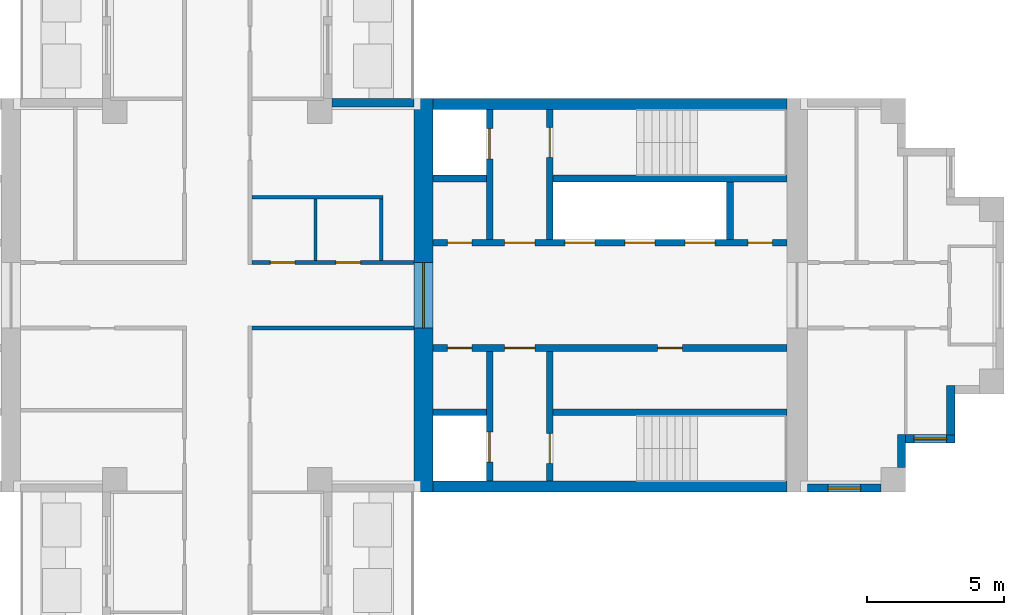
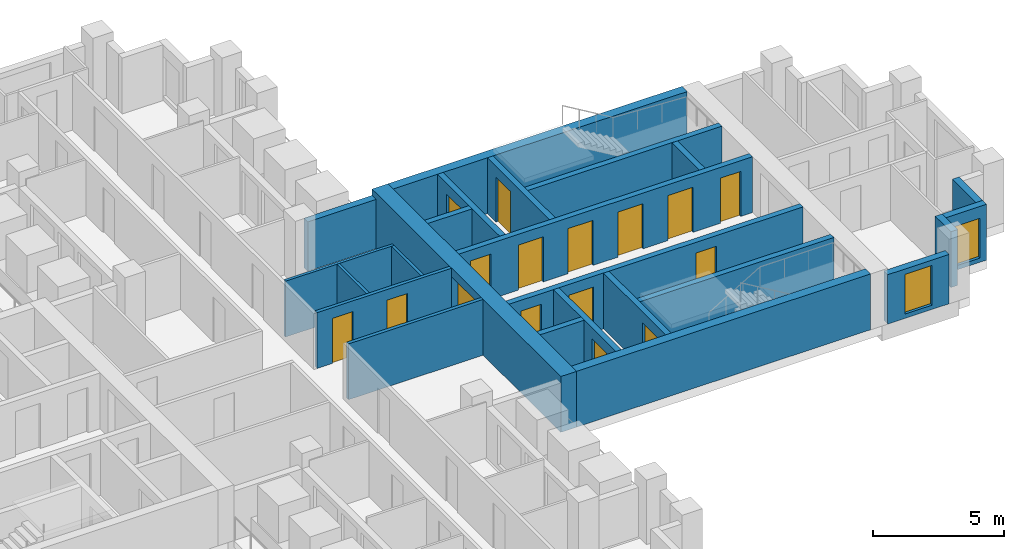
# One storey, part 5 of 9: 24 walls, 16 doors, 2 windows, 18 openings.
"""IFC4 building model written with IfcOpenShell, lengths in metres."""

from ifc_helpers import new_model, si_unit, direction, frame, frame_2d, origin, place, context, subcontext, project, spatial, rectangle, extrude, material, layer, layer_set, type_object, element, fill, save


model = new_model("IFC4")

# Units and contexts
model_context = context("Model", 3, precision=1e-05, world=origin(), true_north=direction((0.0, 1.0)))
body_context = subcontext(model_context, "Body", "Model", "MODEL_VIEW")
ifc_project = project(units=[si_unit("LENGTHUNIT", "METRE"), si_unit("AREAUNIT", "SQUARE_METRE"), si_unit("VOLUMEUNIT", "CUBIC_METRE"), si_unit("PLANEANGLEUNIT", "RADIAN"), si_unit("MASSUNIT", "GRAM", prefix="KILO")], contexts=[model_context])

# Site, building, storey
site_placement = place(None, origin())
site = spatial("IfcSite", under=ifc_project, at=site_placement, CompositionType="ELEMENT")
building_placement = place(site_placement, origin())
building = spatial("IfcBuilding", under=site, at=building_placement, Name="Fustian Cross Tower", CompositionType="ELEMENT")
storey_placement = place(building_placement, frame((0.0, 0.0, 219.89990234375)))
storey = spatial("IfcBuildingStorey", under=building, at=storey_placement, Name="L69", CompositionType="ELEMENT", Elevation=219.89990234375)

# Wall
ifc_material_1 = material(Name="Plasterboard on steel stud", Category="steel")
ifc_layer_1 = layer(ifc_material_1, 0.14990234375)
ifc_layer_set_1 = layer_set([ifc_layer_1], Name="Plasterboard on steel stud")
wall_type_1 = type_object("IfcWallType", Name="COMPARTMENT WALL 150 EI 60", PredefinedType="PARTITIONING", material=ifc_layer_set_1)
wall_1_placement = place(storey_placement, frame((1.27490234375, -1.199951171875, 0.0), z_axis=(0.0, 0.0, 1.0), x_axis=(1.0, 0.0, 0.0)))
element("IfcWall", 1, at=wall_1_placement, inside=storey, type_object=wall_type_1, Name="Partition 38", PredefinedType="PARTITIONING", context=body_context, shape_type="SweptSolid", body=[
    extrude(rectangle(XDim=5.925048828125, YDim=0.14990234375, at=frame_2d((2.96240234375, 0.0))), origin(), (0.0, 0.0, 1.0), 2.60009765625),
])

# Wall, openings, doors
wall_2_placement = place(storey_placement, frame((1.27490234375, 1.199951171875, 0.0), z_axis=(0.0, 0.0, 1.0), x_axis=(1.0, 0.0, 0.0)))
wall_2 = element("IfcWall", 2, at=wall_2_placement, inside=storey, type_object=wall_type_1, Name="Partition 40", PredefinedType="PARTITIONING", context=body_context, shape_type="SweptSolid", body=[
    extrude(rectangle(XDim=5.925048828125, YDim=0.14990234375, at=frame_2d((2.96240234375, 0.0))), origin(), (0.0, 0.0, 1.0), 2.60009765625),
])
opening_1_placement = place(wall_2_placement, frame((0.675048828125, 0.0, 0.0)))
opening_1 = element("IfcOpeningElement", 3, at=opening_1_placement, cuts=wall_2, Name="Opening D31001", PredefinedType="OPENING", context=body_context, shape_type="SweptSolid", body=[
    extrude(rectangle(XDim=0.89990234375, YDim=2.10009765625, at=frame_2d((0.449951171875, 1.050048828125))), frame((0.0, 0.0849609375, 0.0), z_axis=(0.0, -1.0, 0.0), x_axis=(1.0, 0.0, 0.0)), (0.0, 0.0, 1.0), 0.169921875),
])
opening_2_placement = place(wall_2_placement, frame((3.074951171875, 0.0, 0.0)))
opening_2 = element("IfcOpeningElement", 4, at=opening_2_placement, cuts=wall_2, Name="Opening D31002", PredefinedType="OPENING", context=body_context, shape_type="SweptSolid", body=[
    extrude(rectangle(XDim=0.89990234375, YDim=2.10009765625, at=frame_2d((0.449951171875, 1.050048828125))), frame((0.0, 0.0849609375, 0.0), z_axis=(0.0, -1.0, 0.0), x_axis=(1.0, 0.0, 0.0)), (0.0, 0.0, 1.0), 0.169921875),
])
ifc_material_2 = material(Name="Timber fire door set", Category="wood")
door_type_1 = type_object("IfcDoorType", Name="FIRE SWING DOOR 900 FD30S", OperationType="SINGLE_SWING_LEFT", PredefinedType="DOOR", material=ifc_material_2)
door_1_placement = place(opening_1_placement, origin())
door_1 = element("IfcDoor", 5, at=door_1_placement, inside=storey, type_object=door_type_1, Name="Door D31001", OperationType="SINGLE_SWING_LEFT", OverallHeight=2.10009765625, OverallWidth=0.89990234375, PredefinedType="DOOR", context=body_context, shape_type="SweptSolid", body=[
    extrude(rectangle(XDim=0.89990234375, YDim=2.10009765625, at=frame_2d((0.449951171875, 1.050048828125))), frame((0.0, 0.02490234375, 0.0), z_axis=(0.0, -1.0, 0.0), x_axis=(1.0, 0.0, 0.0)), (0.0, 0.0, 1.0), 0.050048828125),
])
fill(opening_1, door_1)
door_2_placement = place(opening_2_placement, origin())
door_2 = element("IfcDoor", 6, at=door_2_placement, inside=storey, type_object=door_type_1, Name="Door D31002", OperationType="SINGLE_SWING_LEFT", OverallHeight=2.10009765625, OverallWidth=0.89990234375, PredefinedType="DOOR", context=body_context, shape_type="SweptSolid", body=[
    extrude(rectangle(XDim=0.89990234375, YDim=2.10009765625, at=frame_2d((0.449951171875, 1.050048828125))), frame((0.0, 0.02490234375, 0.0), z_axis=(0.0, -1.0, 0.0), x_axis=(1.0, 0.0, 0.0)), (0.0, 0.0, 1.0), 0.050048828125),
])
fill(opening_2, door_2)

# Wall, opening, door
ifc_material_3 = material(Name="Concrete C50/60", Category="concrete")
ifc_layer_2 = layer(ifc_material_3, 0.699951171875)
ifc_layer_set_2 = layer_set([ifc_layer_2], Name="Concrete C50/60")
wall_type_2 = type_object("IfcWallType", Name="CORE END WALL 700 C50/60", PredefinedType="SHEAR", material=ifc_layer_set_2)
wall_3_placement = place(storey_placement, frame((7.550048828125, -7.199951171875, 0.0), z_axis=(0.0, 0.0, 1.0), x_axis=(0.0, 1.0, 0.0)))
wall_3 = element("IfcWall", 7, at=wall_3_placement, inside=storey, type_object=wall_type_2, Name="Core end wall", PredefinedType="SHEAR", context=body_context, shape_type="SweptSolid", body=[
    extrude(rectangle(XDim=14.39990234375, YDim=0.699951171875, at=frame_2d((7.199951171875, 0.0))), origin(), (0.0, 0.0, 1.0), 2.60009765625),
])
opening_3_placement = place(wall_3_placement, frame((6.0, 0.0, 0.0)))
opening_3 = element("IfcOpeningElement", 8, at=opening_3_placement, cuts=wall_3, Name="Opening CD-29-12", PredefinedType="OPENING", context=body_context, shape_type="SweptSolid", body=[
    extrude(rectangle(XDim=2.39990234375, YDim=2.199951171875, at=frame_2d((1.199951171875, 1.10009765625))), frame((0.0, 0.35986328125, 0.0), z_axis=(0.0, -1.0, 0.0), x_axis=(1.0, 0.0, 0.0)), (0.0, 0.0, 1.0), 0.719970703125),
])
ifc_material_4 = material(Name="Steel", Category="steel")
door_type_2 = type_object("IfcDoorType", Name="FIRE DOOR FD30S DOUBLE 2400X2200", OperationType="DOUBLE_DOOR_DOUBLE_SWING", PredefinedType="DOOR", material=ifc_material_4)
door_3_placement = place(opening_3_placement, frame((2.39990234375, 0.0, 0.0), z_axis=(0.0, 0.0, 1.0), x_axis=(-1.0, 0.0, 0.0)))
door_3 = element("IfcDoor", 9, at=door_3_placement, inside=storey, type_object=door_type_2, Name="Core door CD-29-12", OperationType="DOUBLE_DOOR_DOUBLE_SWING", OverallHeight=2.199951171875, OverallWidth=2.39990234375, PredefinedType="DOOR", context=body_context, shape_type="SweptSolid", body=[
    extrude(rectangle(XDim=2.39990234375, YDim=2.199951171875, at=frame_2d((1.199951171875, 1.10009765625))), frame((0.0, 0.02490234375, 0.0), z_axis=(0.0, -1.0, 0.0), x_axis=(1.0, 0.0, 0.0)), (0.0, 0.0, 1.0), 0.050048828125),
])
fill(opening_3, door_3)

# Walls
ifc_material_5 = material(Name="Concrete C50/60", Category="concrete")
ifc_layer_3 = layer(ifc_material_5, 0.39990234375)
ifc_layer_set_3 = layer_set([ifc_layer_3], Name="Concrete C50/60")
wall_type_3 = type_object("IfcWallType", Name="CORE FACADE WALL 400 C50/60", PredefinedType="SHEAR", material=ifc_layer_set_3)
for number, where, z_axis, x_axis, name in (
    (10, (7.89990234375, 7.0, 0.0), (0.0, 0.0, 1.0), (1.0, 0.0, 0.0), "Core facade wall"),
    (11, (7.89990234375, -7.0, 0.0), (0.0, 0.0, 1.0), (1.0, 0.0, 0.0), "Core facade wall"),
):
    element("IfcWall", number, at=place(storey_placement, frame(where, z_axis=z_axis, x_axis=x_axis)), inside=storey, type_object=wall_type_3, Name=name, PredefinedType="SHEAR", context=body_context, shape_type="SweptSolid", body=[
        extrude(rectangle(XDim=12.9501953125, YDim=0.39990234375, at=frame_2d((6.47509765625, 0.0))), origin(), (0.0, 0.0, 1.0), 2.60009765625),
    ])

# Wall, openings, doors
ifc_material_6 = material(Name="Concrete C50/60", Category="concrete")
ifc_layer_4 = layer(ifc_material_6, 0.25)
ifc_layer_set_4 = layer_set([ifc_layer_4], Name="Concrete C50/60")
wall_type_4 = type_object("IfcWallType", Name="CORE LOBBY WALL 250 C50/60", PredefinedType="SHEAR", material=ifc_layer_set_4)
wall_4_placement = place(storey_placement, frame((7.89990234375, 1.925048828125, 0.0), z_axis=(0.0, 0.0, 1.0), x_axis=(1.0, 0.0, 0.0)))
wall_4 = element("IfcWall", 12, at=wall_4_placement, inside=storey, type_object=wall_type_4, Name="Core lobby wall", PredefinedType="SHEAR", context=body_context, shape_type="SweptSolid", body=[
    extrude(rectangle(XDim=12.9501953125, YDim=0.25, at=frame_2d((6.47509765625, 0.0))), origin(), (0.0, 0.0, 1.0), 2.60009765625),
])
opening_4_placement = place(wall_4_placement, frame((4.824951171875, 0.0, 0.0)))
opening_4 = element("IfcOpeningElement", 13, at=opening_4_placement, cuts=wall_4, Name="Opening LD", PredefinedType="OPENING", context=body_context, shape_type="SweptSolid", body=[
    extrude(rectangle(XDim=1.10009765625, YDim=2.10009765625, at=frame_2d((0.550048828125, 1.050048828125))), frame((0.0, 0.135009765625, 0.0), z_axis=(0.0, -1.0, 0.0), x_axis=(1.0, 0.0, 0.0)), (0.0, 0.0, 1.0), 0.27001953125),
])
opening_5_placement = place(wall_4_placement, frame((7.02490234375, 0.0, 0.0)))
opening_5 = element("IfcOpeningElement", 14, at=opening_5_placement, cuts=wall_4, Name="Opening LD", PredefinedType="OPENING", context=body_context, shape_type="SweptSolid", body=[
    extrude(rectangle(XDim=1.10009765625, YDim=2.10009765625, at=frame_2d((0.550048828125, 1.050048828125))), frame((0.0, 0.135009765625, 0.0), z_axis=(0.0, -1.0, 0.0), x_axis=(1.0, 0.0, 0.0)), (0.0, 0.0, 1.0), 0.27001953125),
])
opening_6_placement = place(wall_4_placement, frame((9.22509765625, 0.0, 0.0)))
opening_6 = element("IfcOpeningElement", 15, at=opening_6_placement, cuts=wall_4, Name="Opening LD", PredefinedType="OPENING", context=body_context, shape_type="SweptSolid", body=[
    extrude(rectangle(XDim=1.10009765625, YDim=2.10009765625, at=frame_2d((0.550048828125, 1.050048828125))), frame((0.0, 0.135009765625, 0.0), z_axis=(0.0, -1.0, 0.0), x_axis=(1.0, 0.0, 0.0)), (0.0, 0.0, 1.0), 0.27001953125),
])
opening_7_placement = place(wall_4_placement, frame((0.52490234375, 0.0, 0.0)))
opening_7 = element("IfcOpeningElement", 16, at=opening_7_placement, cuts=wall_4, Name="Opening CD-29-08", PredefinedType="OPENING", context=body_context, shape_type="SweptSolid", body=[
    extrude(rectangle(XDim=0.89990234375, YDim=2.10009765625, at=frame_2d((0.449951171875, 1.050048828125))), frame((0.0, 0.135009765625, 0.0), z_axis=(0.0, -1.0, 0.0), x_axis=(1.0, 0.0, 0.0)), (0.0, 0.0, 1.0), 0.27001953125),
])
opening_8_placement = place(wall_4_placement, frame((2.625, 0.0, 0.0)))
opening_8 = element("IfcOpeningElement", 17, at=opening_8_placement, cuts=wall_4, Name="Opening CD-29-10", PredefinedType="OPENING", context=body_context, shape_type="SweptSolid", body=[
    extrude(rectangle(XDim=1.10009765625, YDim=2.10009765625, at=frame_2d((0.550048828125, 1.050048828125))), frame((0.0, 0.135009765625, 0.0), z_axis=(0.0, -1.0, 0.0), x_axis=(1.0, 0.0, 0.0)), (0.0, 0.0, 1.0), 0.27001953125),
])
opening_9_placement = place(wall_4_placement, frame((11.52490234375, 0.0, 0.0)))
opening_9 = element("IfcOpeningElement", 18, at=opening_9_placement, cuts=wall_4, Name="Opening CD-29-14", PredefinedType="OPENING", context=body_context, shape_type="SweptSolid", body=[
    extrude(rectangle(XDim=0.89990234375, YDim=2.10009765625, at=frame_2d((0.449951171875, 1.050048828125))), frame((0.0, 0.135009765625, 0.0), z_axis=(0.0, -1.0, 0.0), x_axis=(1.0, 0.0, 0.0)), (0.0, 0.0, 1.0), 0.27001953125),
])
ifc_material_7 = material(Name="Steel", Category="steel")
door_type_3 = type_object("IfcDoorType", Name="FIRE DOOR FD30S 900X2100", OperationType="SINGLE_SWING_LEFT", PredefinedType="DOOR", material=ifc_material_7)
door_4_placement = place(opening_9_placement, origin())
door_4 = element("IfcDoor", 19, at=door_4_placement, inside=storey, type_object=door_type_3, Name="Core door CD-29-14", OperationType="SINGLE_SWING_LEFT", OverallHeight=2.10009765625, OverallWidth=0.89990234375, PredefinedType="DOOR", context=body_context, shape_type="SweptSolid", body=[
    extrude(rectangle(XDim=0.89990234375, YDim=2.10009765625, at=frame_2d((0.449951171875, 1.050048828125))), frame((0.0, 0.02490234375, 0.0), z_axis=(0.0, -1.0, 0.0), x_axis=(1.0, 0.0, 0.0)), (0.0, 0.0, 1.0), 0.050048828125),
])
fill(opening_9, door_4)
ifc_material_8 = material(Name="Steel", Category="steel")
door_type_4 = type_object("IfcDoorType", Name="FIRE DOOR FD60S 1100X2100", OperationType="SINGLE_SWING_LEFT", PredefinedType="DOOR", material=ifc_material_8)
door_5_placement = place(opening_8_placement, frame((1.10009765625, 0.0, 0.0), z_axis=(0.0, 0.0, 1.0), x_axis=(-1.0, 0.0, 0.0)))
door_5 = element("IfcDoor", 20, at=door_5_placement, inside=storey, type_object=door_type_4, Name="Core door CD-29-10", OperationType="SINGLE_SWING_RIGHT", OverallHeight=2.10009765625, OverallWidth=1.10009765625, PredefinedType="DOOR", context=body_context, shape_type="SweptSolid", body=[
    extrude(rectangle(XDim=1.10009765625, YDim=2.10009765625, at=frame_2d((0.550048828125, 1.050048828125))), frame((0.0, 0.02490234375, 0.0), z_axis=(0.0, -1.0, 0.0), x_axis=(1.0, 0.0, 0.0)), (0.0, 0.0, 1.0), 0.050048828125),
])
fill(opening_8, door_5)
ifc_material_9 = material(Name="Steel", Category="steel")
door_type_5 = type_object("IfcDoorType", Name="FIRE DOOR FD60S 900X2100", OperationType="SINGLE_SWING_LEFT", PredefinedType="DOOR", material=ifc_material_9)
door_6_placement = place(opening_7_placement, origin())
door_6 = element("IfcDoor", 21, at=door_6_placement, inside=storey, type_object=door_type_5, Name="Core door CD-29-08", OperationType="SINGLE_SWING_LEFT", OverallHeight=2.10009765625, OverallWidth=0.89990234375, PredefinedType="DOOR", context=body_context, shape_type="SweptSolid", body=[
    extrude(rectangle(XDim=0.89990234375, YDim=2.10009765625, at=frame_2d((0.449951171875, 1.050048828125))), frame((0.0, 0.02490234375, 0.0), z_axis=(0.0, -1.0, 0.0), x_axis=(1.0, 0.0, 0.0)), (0.0, 0.0, 1.0), 0.050048828125),
])
fill(opening_7, door_6)
ifc_material_10 = material(Name="Stainless steel", Category="steel")
door_type_6 = type_object("IfcDoorType", Name="LIFT LANDING DOOR 1100X2100", OperationType="SLIDING_TO_LEFT", PredefinedType="DOOR", material=ifc_material_10)
door_7_placement = place(opening_4_placement, origin())
door_7 = element("IfcDoor", 22, at=door_7_placement, inside=storey, type_object=door_type_6, Name="Landing door HR1", OperationType="SLIDING_TO_LEFT", OverallHeight=2.10009765625, OverallWidth=1.10009765625, PredefinedType="DOOR", context=body_context, shape_type="SweptSolid", body=[
    extrude(rectangle(XDim=1.10009765625, YDim=2.10009765625, at=frame_2d((0.550048828125, 1.050048828125))), frame((0.0, 0.02490234375, 0.0), z_axis=(0.0, -1.0, 0.0), x_axis=(1.0, 0.0, 0.0)), (0.0, 0.0, 1.0), 0.050048828125),
])
fill(opening_4, door_7)
door_8_placement = place(opening_5_placement, origin())
door_8 = element("IfcDoor", 23, at=door_8_placement, inside=storey, type_object=door_type_6, Name="Landing door HR2", OperationType="SLIDING_TO_LEFT", OverallHeight=2.10009765625, OverallWidth=1.10009765625, PredefinedType="DOOR", context=body_context, shape_type="SweptSolid", body=[
    extrude(rectangle(XDim=1.10009765625, YDim=2.10009765625, at=frame_2d((0.550048828125, 1.050048828125))), frame((0.0, 0.02490234375, 0.0), z_axis=(0.0, -1.0, 0.0), x_axis=(1.0, 0.0, 0.0)), (0.0, 0.0, 1.0), 0.050048828125),
])
fill(opening_5, door_8)
door_9_placement = place(opening_6_placement, origin())
door_9 = element("IfcDoor", 24, at=door_9_placement, inside=storey, type_object=door_type_6, Name="Landing door HR3", OperationType="SLIDING_TO_LEFT", OverallHeight=2.10009765625, OverallWidth=1.10009765625, PredefinedType="DOOR", context=body_context, shape_type="SweptSolid", body=[
    extrude(rectangle(XDim=1.10009765625, YDim=2.10009765625, at=frame_2d((0.550048828125, 1.050048828125))), frame((0.0, 0.02490234375, 0.0), z_axis=(0.0, -1.0, 0.0), x_axis=(1.0, 0.0, 0.0)), (0.0, 0.0, 1.0), 0.050048828125),
])
fill(opening_6, door_9)

wall_5_placement = place(storey_placement, frame((7.89990234375, -1.925048828125, 0.0), z_axis=(0.0, 0.0, 1.0), x_axis=(1.0, 0.0, 0.0)))
wall_5 = element("IfcWall", 25, at=wall_5_placement, inside=storey, type_object=wall_type_4, Name="Core lobby wall", PredefinedType="SHEAR", context=body_context, shape_type="SweptSolid", body=[
    extrude(rectangle(XDim=12.9501953125, YDim=0.25, at=frame_2d((6.47509765625, 0.0))), origin(), (0.0, 0.0, 1.0), 2.60009765625),
])
opening_10_placement = place(wall_5_placement, frame((0.52490234375, 0.0, 0.0)))
opening_10 = element("IfcOpeningElement", 26, at=opening_10_placement, cuts=wall_5, Name="Opening CD-29-09", PredefinedType="OPENING", context=body_context, shape_type="SweptSolid", body=[
    extrude(rectangle(XDim=0.89990234375, YDim=2.10009765625, at=frame_2d((0.449951171875, 1.050048828125))), frame((0.0, 0.135009765625, 0.0), z_axis=(0.0, -1.0, 0.0), x_axis=(1.0, 0.0, 0.0)), (0.0, 0.0, 1.0), 0.27001953125),
])
opening_11_placement = place(wall_5_placement, frame((2.625, 0.0, 0.0)))
opening_11 = element("IfcOpeningElement", 27, at=opening_11_placement, cuts=wall_5, Name="Opening CD-29-11", PredefinedType="OPENING", context=body_context, shape_type="SweptSolid", body=[
    extrude(rectangle(XDim=1.10009765625, YDim=2.10009765625, at=frame_2d((0.550048828125, 1.050048828125))), frame((0.0, 0.135009765625, 0.0), z_axis=(0.0, -1.0, 0.0), x_axis=(1.0, 0.0, 0.0)), (0.0, 0.0, 1.0), 0.27001953125),
])
opening_12_placement = place(wall_5_placement, frame((8.22509765625, 0.0, 0.0)))
opening_12 = element("IfcOpeningElement", 28, at=opening_12_placement, cuts=wall_5, Name="Opening CD-29-15", PredefinedType="OPENING", context=body_context, shape_type="SweptSolid", body=[
    extrude(rectangle(XDim=0.89990234375, YDim=2.10009765625, at=frame_2d((0.449951171875, 1.050048828125))), frame((0.0, 0.135009765625, 0.0), z_axis=(0.0, -1.0, 0.0), x_axis=(1.0, 0.0, 0.0)), (0.0, 0.0, 1.0), 0.27001953125),
])
ifc_material_11 = material(Name="Steel", Category="steel")
door_type_7 = type_object("IfcDoorType", Name="FIRE DOOR FD30S 1100X2100", OperationType="SINGLE_SWING_LEFT", PredefinedType="DOOR", material=ifc_material_11)
door_10_placement = place(opening_11_placement, frame((1.10009765625, 0.0, 0.0), z_axis=(0.0, 0.0, 1.0), x_axis=(-1.0, 0.0, 0.0)))
door_10 = element("IfcDoor", 29, at=door_10_placement, inside=storey, type_object=door_type_7, Name="Core door CD-29-11", OperationType="SINGLE_SWING_RIGHT", OverallHeight=2.10009765625, OverallWidth=1.10009765625, PredefinedType="DOOR", context=body_context, shape_type="SweptSolid", body=[
    extrude(rectangle(XDim=1.10009765625, YDim=2.10009765625, at=frame_2d((0.550048828125, 1.050048828125))), frame((0.0, 0.02490234375, 0.0), z_axis=(0.0, -1.0, 0.0), x_axis=(1.0, 0.0, 0.0)), (0.0, 0.0, 1.0), 0.050048828125),
])
fill(opening_11, door_10)
door_11_placement = place(opening_10_placement, frame((0.89990234375, 0.0, 0.0), z_axis=(0.0, 0.0, 1.0), x_axis=(-1.0, 0.0, 0.0)))
door_11 = element("IfcDoor", 30, at=door_11_placement, inside=storey, type_object=door_type_3, Name="Core door CD-29-09", OperationType="SINGLE_SWING_RIGHT", OverallHeight=2.10009765625, OverallWidth=0.89990234375, PredefinedType="DOOR", context=body_context, shape_type="SweptSolid", body=[
    extrude(rectangle(XDim=0.89990234375, YDim=2.10009765625, at=frame_2d((0.449951171875, 1.050048828125))), frame((0.0, 0.02490234375, 0.0), z_axis=(0.0, -1.0, 0.0), x_axis=(1.0, 0.0, 0.0)), (0.0, 0.0, 1.0), 0.050048828125),
])
fill(opening_10, door_11)
door_12_placement = place(opening_12_placement, frame((0.89990234375, 0.0, 0.0), z_axis=(0.0, 0.0, 1.0), x_axis=(-1.0, 0.0, 0.0)))
door_12 = element("IfcDoor", 31, at=door_12_placement, inside=storey, type_object=door_type_3, Name="Core door CD-29-15", OperationType="SINGLE_SWING_LEFT", OverallHeight=2.10009765625, OverallWidth=0.89990234375, PredefinedType="DOOR", context=body_context, shape_type="SweptSolid", body=[
    extrude(rectangle(XDim=0.89990234375, YDim=2.10009765625, at=frame_2d((0.449951171875, 1.050048828125))), frame((0.0, 0.02490234375, 0.0), z_axis=(0.0, -1.0, 0.0), x_axis=(1.0, 0.0, 0.0)), (0.0, 0.0, 1.0), 0.050048828125),
])
fill(opening_12, door_12)

# Walls
ifc_material_12 = material(Name="Concrete C50/60", Category="concrete")
ifc_layer_5 = layer(ifc_material_12, 0.25)
ifc_layer_set_5 = layer_set([ifc_layer_5], Name="Concrete C50/60")
wall_type_5 = type_object("IfcWallType", Name="CORE SHAFT WALL 250 C50/60", PredefinedType="SHEAR", material=ifc_layer_set_5)
wall_6_placement = place(storey_placement, frame((7.89990234375, 4.27490234375, 0.0), z_axis=(0.0, 0.0, 1.0), x_axis=(1.0, 0.0, 0.0)))
element("IfcWall", 32, at=wall_6_placement, inside=storey, type_object=wall_type_5, Name="Core shaft wall", PredefinedType="SHEAR", context=body_context, shape_type="SweptSolid", body=[
    extrude(rectangle(XDim=1.9501953125, YDim=0.25, at=frame_2d((0.97509765625, 0.0))), origin(), (0.0, 0.0, 1.0), 2.60009765625),
])
wall_7_placement = place(storey_placement, frame((12.300048828125, 4.27490234375, 0.0), z_axis=(0.0, 0.0, 1.0), x_axis=(1.0, 0.0, 0.0)))
element("IfcWall", 33, at=wall_7_placement, inside=storey, type_object=wall_type_5, Name="Core shaft wall", PredefinedType="SHEAR", context=body_context, shape_type="SweptSolid", body=[
    extrude(rectangle(XDim=8.550048828125, YDim=0.25, at=frame_2d((4.27490234375, 0.0))), origin(), (0.0, 0.0, 1.0), 2.60009765625),
])

# Wall, opening, door
wall_8_placement = place(storey_placement, frame((9.97509765625, 2.050048828125, 0.0), z_axis=(0.0, 0.0, 1.0), x_axis=(0.0, 1.0, 0.0)))
wall_8 = element("IfcWall", 34, at=wall_8_placement, inside=storey, type_object=wall_type_5, Name="Core shaft wall", PredefinedType="SHEAR", context=body_context, shape_type="SweptSolid", body=[
    extrude(rectangle(XDim=4.75, YDim=0.25, at=frame_2d((2.375, 0.0))), origin(), (0.0, 0.0, 1.0), 2.60009765625),
])
opening_13_placement = place(wall_8_placement, frame((2.949951171875, 0.0, 0.0)))
opening_13 = element("IfcOpeningElement", 35, at=opening_13_placement, cuts=wall_8, Name="Opening LD", PredefinedType="OPENING", context=body_context, shape_type="SweptSolid", body=[
    extrude(rectangle(XDim=1.10009765625, YDim=2.10009765625, at=frame_2d((0.550048828125, 1.050048828125))), frame((0.0, 0.135009765625, 0.0), z_axis=(0.0, -1.0, 0.0), x_axis=(1.0, 0.0, 0.0)), (0.0, 0.0, 1.0), 0.27001953125),
])
door_13_placement = place(opening_13_placement, origin())
door_13 = element("IfcDoor", 36, at=door_13_placement, inside=storey, type_object=door_type_6, Name="Landing door FL1", OperationType="SLIDING_TO_LEFT", OverallHeight=2.10009765625, OverallWidth=1.10009765625, PredefinedType="DOOR", context=body_context, shape_type="SweptSolid", body=[
    extrude(rectangle(XDim=1.10009765625, YDim=2.10009765625, at=frame_2d((0.550048828125, 1.050048828125))), frame((0.0, 0.02490234375, 0.0), z_axis=(0.0, -1.0, 0.0), x_axis=(1.0, 0.0, 0.0)), (0.0, 0.0, 1.0), 0.050048828125),
])
fill(opening_13, door_13)

wall_9_placement = place(storey_placement, frame((12.175048828125, 2.050048828125, 0.0), z_axis=(0.0, 0.0, 1.0), x_axis=(0.0, 1.0, 0.0)))
wall_9 = element("IfcWall", 37, at=wall_9_placement, inside=storey, type_object=wall_type_5, Name="Core shaft wall", PredefinedType="SHEAR", context=body_context, shape_type="SweptSolid", body=[
    extrude(rectangle(XDim=4.75, YDim=0.25, at=frame_2d((2.375, 0.0))), origin(), (0.0, 0.0, 1.0), 2.60009765625),
])
opening_14_placement = place(wall_9_placement, frame((3.0, 0.0, 0.0)))
opening_14 = element("IfcOpeningElement", 38, at=opening_14_placement, cuts=wall_9, Name="Opening CD-29-06", PredefinedType="OPENING", context=body_context, shape_type="SweptSolid", body=[
    extrude(rectangle(XDim=1.10009765625, YDim=2.10009765625, at=frame_2d((0.550048828125, 1.050048828125))), frame((0.0, 0.135009765625, 0.0), z_axis=(0.0, -1.0, 0.0), x_axis=(1.0, 0.0, 0.0)), (0.0, 0.0, 1.0), 0.27001953125),
])
door_14_placement = place(opening_14_placement, frame((1.10009765625, 0.0, 0.0), z_axis=(0.0, 0.0, 1.0), x_axis=(-1.0, 0.0, 0.0)))
door_14 = element("IfcDoor", 39, at=door_14_placement, inside=storey, type_object=door_type_4, Name="Core door CD-29-06", OperationType="SINGLE_SWING_RIGHT", OverallHeight=2.10009765625, OverallWidth=1.10009765625, PredefinedType="DOOR", context=body_context, shape_type="SweptSolid", body=[
    extrude(rectangle(XDim=1.10009765625, YDim=2.10009765625, at=frame_2d((0.550048828125, 1.050048828125))), frame((0.0, 0.02490234375, 0.0), z_axis=(0.0, -1.0, 0.0), x_axis=(1.0, 0.0, 0.0)), (0.0, 0.0, 1.0), 0.050048828125),
])
fill(opening_14, door_14)

# Walls
wall_10_placement = place(storey_placement, frame((7.89990234375, -4.27490234375, 0.0), z_axis=(0.0, 0.0, 1.0), x_axis=(1.0, 0.0, 0.0)))
element("IfcWall", 40, at=wall_10_placement, inside=storey, type_object=wall_type_5, Name="Core shaft wall", PredefinedType="SHEAR", context=body_context, shape_type="SweptSolid", body=[
    extrude(rectangle(XDim=1.9501953125, YDim=0.25, at=frame_2d((0.97509765625, 0.0))), origin(), (0.0, 0.0, 1.0), 2.60009765625),
])
wall_11_placement = place(storey_placement, frame((12.300048828125, -4.27490234375, 0.0), z_axis=(0.0, 0.0, 1.0), x_axis=(1.0, 0.0, 0.0)))
element("IfcWall", 41, at=wall_11_placement, inside=storey, type_object=wall_type_5, Name="Core shaft wall", PredefinedType="SHEAR", context=body_context, shape_type="SweptSolid", body=[
    extrude(rectangle(XDim=8.550048828125, YDim=0.25, at=frame_2d((4.27490234375, 0.0))), origin(), (0.0, 0.0, 1.0), 2.60009765625),
])

# Wall, opening, door
wall_12_placement = place(storey_placement, frame((9.97509765625, -2.050048828125, 0.0), z_axis=(0.0, 0.0, 1.0), x_axis=(0.0, -1.0, 0.0)))
wall_12 = element("IfcWall", 42, at=wall_12_placement, inside=storey, type_object=wall_type_5, Name="Core shaft wall", PredefinedType="SHEAR", context=body_context, shape_type="SweptSolid", body=[
    extrude(rectangle(XDim=4.75, YDim=0.25, at=frame_2d((2.375, 0.0))), origin(), (0.0, 0.0, 1.0), 2.60009765625),
])
opening_15_placement = place(wall_12_placement, frame((2.949951171875, 0.0, 0.0)))
opening_15 = element("IfcOpeningElement", 43, at=opening_15_placement, cuts=wall_12, Name="Opening LD", PredefinedType="OPENING", context=body_context, shape_type="SweptSolid", body=[
    extrude(rectangle(XDim=1.10009765625, YDim=2.10009765625, at=frame_2d((0.550048828125, 1.050048828125))), frame((0.0, 0.135009765625, 0.0), z_axis=(0.0, -1.0, 0.0), x_axis=(1.0, 0.0, 0.0)), (0.0, 0.0, 1.0), 0.27001953125),
])
door_15_placement = place(opening_15_placement, origin())
door_15 = element("IfcDoor", 44, at=door_15_placement, inside=storey, type_object=door_type_6, Name="Landing door SV1", OperationType="SLIDING_TO_LEFT", OverallHeight=2.10009765625, OverallWidth=1.10009765625, PredefinedType="DOOR", context=body_context, shape_type="SweptSolid", body=[
    extrude(rectangle(XDim=1.10009765625, YDim=2.10009765625, at=frame_2d((0.550048828125, 1.050048828125))), frame((0.0, 0.02490234375, 0.0), z_axis=(0.0, -1.0, 0.0), x_axis=(1.0, 0.0, 0.0)), (0.0, 0.0, 1.0), 0.050048828125),
])
fill(opening_15, door_15)

wall_13_placement = place(storey_placement, frame((12.175048828125, -2.050048828125, 0.0), z_axis=(0.0, 0.0, 1.0), x_axis=(0.0, -1.0, 0.0)))
wall_13 = element("IfcWall", 45, at=wall_13_placement, inside=storey, type_object=wall_type_5, Name="Core shaft wall", PredefinedType="SHEAR", context=body_context, shape_type="SweptSolid", body=[
    extrude(rectangle(XDim=4.75, YDim=0.25, at=frame_2d((2.375, 0.0))), origin(), (0.0, 0.0, 1.0), 2.60009765625),
])
opening_16_placement = place(wall_13_placement, frame((3.0, 0.0, 0.0)))
opening_16 = element("IfcOpeningElement", 46, at=opening_16_placement, cuts=wall_13, Name="Opening CD-29-07", PredefinedType="OPENING", context=body_context, shape_type="SweptSolid", body=[
    extrude(rectangle(XDim=1.10009765625, YDim=2.10009765625, at=frame_2d((0.550048828125, 1.050048828125))), frame((0.0, 0.135009765625, 0.0), z_axis=(0.0, -1.0, 0.0), x_axis=(1.0, 0.0, 0.0)), (0.0, 0.0, 1.0), 0.27001953125),
])
door_16_placement = place(opening_16_placement, origin())
door_16 = element("IfcDoor", 47, at=door_16_placement, inside=storey, type_object=door_type_4, Name="Core door CD-29-07", OperationType="SINGLE_SWING_LEFT", OverallHeight=2.10009765625, OverallWidth=1.10009765625, PredefinedType="DOOR", context=body_context, shape_type="SweptSolid", body=[
    extrude(rectangle(XDim=1.10009765625, YDim=2.10009765625, at=frame_2d((0.550048828125, 1.050048828125))), frame((0.0, 0.02490234375, 0.0), z_axis=(0.0, -1.0, 0.0), x_axis=(1.0, 0.0, 0.0)), (0.0, 0.0, 1.0), 0.050048828125),
])
fill(opening_16, door_16)

# Walls
ifc_material_13 = material(Name="Concrete C40/50", Category="concrete")
ifc_layer_6 = layer(ifc_material_13, 0.25)
ifc_layer_set_6 = layer_set([ifc_layer_6], Name="Concrete C40/50")
wall_type_6 = type_object("IfcWallType", Name="SHAFT PARTITION WALL 250 C40/50", PredefinedType="PARTITIONING", material=ifc_layer_set_6)
wall_14_placement = place(storey_placement, frame((18.77490234375, 2.050048828125, 0.0), z_axis=(0.0, 0.0, 1.0), x_axis=(0.0, 1.0, 0.0)))
element("IfcWall", 48, at=wall_14_placement, inside=storey, type_object=wall_type_6, Name="Core shaft wall", PredefinedType="PARTITIONING", context=body_context, shape_type="SweptSolid", body=[
    extrude(rectangle(XDim=2.099853515625, YDim=0.25, at=frame_2d((1.0498046875, 0.0))), origin(), (0.0, 0.0, 1.0), 2.60009765625),
])
ifc_material_14 = material(Name="Plasterboard on steel stud", Category="steel")
ifc_layer_7 = layer(ifc_material_14, 0.125)
ifc_layer_set_7 = layer_set([ifc_layer_7], Name="Plasterboard on steel stud")
wall_type_7 = type_object("IfcWallType", Name="WET WALL 125 STUD", PredefinedType="PARTITIONING", material=ifc_layer_set_7)
wall_15_placement = place(storey_placement, frame((1.27490234375, 3.60009765625, 0.0), z_axis=(0.0, 0.0, 1.0), x_axis=(1.0, 0.0, 0.0)))
element("IfcWall", 49, at=wall_15_placement, inside=storey, type_object=wall_type_7, Name="Partition 41", PredefinedType="PARTITIONING", context=body_context, shape_type="SweptSolid", body=[
    extrude(rectangle(XDim=4.78759765625, YDim=0.125, at=frame_2d((2.393798828125, 0.0))), origin(), (0.0, 0.0, 1.0), 2.60009765625),
])
for number, where, z_axis, x_axis, name in (
    (50, (3.60009765625, 1.27490234375, 0.0), (0.0, 0.0, 1.0), (0.0, 1.0, 0.0), "Partition 48"),
    (51, (6.0, 1.27490234375, 0.0), (0.0, 0.0, 1.0), (0.0, 1.0, 0.0), "Partition 49"),
):
    element("IfcWall", number, at=place(storey_placement, frame(where, z_axis=z_axis, x_axis=x_axis)), inside=storey, type_object=wall_type_7, Name=name, PredefinedType="PARTITIONING", context=body_context, shape_type="SweptSolid", body=[
        extrude(rectangle(XDim=2.2626953125, YDim=0.125, at=frame_2d((1.13134765625, 0.0))), origin(), (0.0, 0.0, 1.0), 2.60009765625),
    ])

# Wall, opening, window
ifc_material_15 = material(Name="Dark aluminium cladding on insulated backing wall", Category="aluminium")
ifc_layer_8 = layer(ifc_material_15, 0.300048828125)
ifc_layer_set_8 = layer_set([ifc_layer_8], Name="Dark aluminium cladding on insulated backing wall")
wall_type_8 = type_object("IfcWallType", Name="XW1 EXTERNAL WALL 300", PredefinedType="SOLIDWALL", material=ifc_layer_set_8)
wall_16_placement = place(storey_placement, frame((21.60009765625, -7.050048828125, 0.0), z_axis=(0.0, 0.0, 1.0), x_axis=(1.0, 0.0, 0.0)))
wall_16 = element("IfcWall", 52, at=wall_16_placement, inside=storey, type_object=wall_type_8, Name="External wall", PredefinedType="SOLIDWALL", context=body_context, shape_type="SweptSolid", body=[
    extrude(rectangle(XDim=2.699951171875, YDim=0.300048828125, at=frame_2d((1.35009765625, 0.0))), origin(), (0.0, 0.0, 1.0), 2.300048828125),
])
opening_17_placement = place(wall_16_placement, frame((0.75, 0.0, 0.199951171875)))
opening_17 = element("IfcOpeningElement", 53, at=opening_17_placement, cuts=wall_16, Name="Opening WN3", PredefinedType="OPENING", context=body_context, shape_type="SweptSolid", body=[
    extrude(rectangle(XDim=1.199951171875, YDim=1.85009765625, at=frame_2d((0.60009765625, 0.925048828125))), frame((0.0, 0.159912109375, 0.0), z_axis=(0.0, -1.0, 0.0), x_axis=(1.0, 0.0, 0.0)), (0.0, 0.0, 1.0), 0.320068359375),
])
ifc_material_16 = material(Name="Dark anodised aluminium and double glazing", Category="aluminium")
window_type = type_object("IfcWindowType", Name="WN3 WINDOW 1200X1850", PartitioningType="SINGLE_PANEL", PredefinedType="WINDOW", material=ifc_material_16)
window_1_placement = place(opening_17_placement, origin())
window_1 = element("IfcWindow", 54, at=window_1_placement, inside=storey, type_object=window_type, Name="Window", OverallHeight=1.85009765625, OverallWidth=1.199951171875, PartitioningType="SINGLE_PANEL", PredefinedType="WINDOW", context=body_context, shape_type="SweptSolid", body=[
    extrude(rectangle(XDim=1.199951171875, YDim=1.85009765625, at=frame_2d((0.60009765625, 0.925048828125))), frame((0.0, 0.030029296875, 0.0), z_axis=(0.0, -1.0, 0.0), x_axis=(1.0, 0.0, 0.0)), (0.0, 0.0, 1.0), 0.06005859375),
])
fill(opening_17, window_1)

# Wall
wall_17_placement = place(storey_placement, frame((25.050048828125, -6.300048828125, 0.0), z_axis=(0.0, 0.0, 1.0), x_axis=(0.0, 1.0, 0.0)))
element("IfcWall", 55, at=wall_17_placement, inside=storey, type_object=wall_type_8, Name="External wall", PredefinedType="SOLIDWALL", context=body_context, shape_type="SweptSolid", body=[
    extrude(rectangle(XDim=1.199951171875, YDim=0.300048828125, at=frame_2d((0.60009765625, 0.0))), origin(), (0.0, 0.0, 1.0), 2.60009765625),
])

# Wall, opening, window
wall_18_placement = place(storey_placement, frame((25.199951171875, -5.25, 0.0), z_axis=(0.0, 0.0, 1.0), x_axis=(1.0, 0.0, 0.0)))
wall_18 = element("IfcWall", 56, at=wall_18_placement, inside=storey, type_object=wall_type_8, Name="External wall", PredefinedType="SOLIDWALL", context=body_context, shape_type="SweptSolid", body=[
    extrude(rectangle(XDim=1.800048828125, YDim=0.300048828125, at=frame_2d((0.89990234375, 0.0))), origin(), (0.0, 0.0, 1.0), 2.60009765625),
])
opening_18_placement = place(wall_18_placement, frame((0.300048828125, 0.0, 0.199951171875)))
opening_18 = element("IfcOpeningElement", 57, at=opening_18_placement, cuts=wall_18, Name="Opening WN3", PredefinedType="OPENING", context=body_context, shape_type="SweptSolid", body=[
    extrude(rectangle(XDim=1.199951171875, YDim=1.85009765625, at=frame_2d((0.60009765625, 0.925048828125))), frame((0.0, 0.159912109375, 0.0), z_axis=(0.0, -1.0, 0.0), x_axis=(1.0, 0.0, 0.0)), (0.0, 0.0, 1.0), 0.320068359375),
])
window_2_placement = place(opening_18_placement, origin())
window_2 = element("IfcWindow", 58, at=window_2_placement, inside=storey, type_object=window_type, Name="Window", OverallHeight=1.85009765625, OverallWidth=1.199951171875, PartitioningType="SINGLE_PANEL", PredefinedType="WINDOW", context=body_context, shape_type="SweptSolid", body=[
    extrude(rectangle(XDim=1.199951171875, YDim=1.85009765625, at=frame_2d((0.60009765625, 0.925048828125))), frame((0.0, 0.030029296875, 0.0), z_axis=(0.0, -1.0, 0.0), x_axis=(1.0, 0.0, 0.0)), (0.0, 0.0, 1.0), 0.06005859375),
])
fill(opening_18, window_2)

# Walls
wall_19_placement = place(storey_placement, frame((26.85009765625, -5.10009765625, 0.0), z_axis=(0.0, 0.0, 1.0), x_axis=(0.0, 1.0, 0.0)))
element("IfcWall", 59, at=wall_19_placement, inside=storey, type_object=wall_type_8, Name="External wall", PredefinedType="SOLIDWALL", context=body_context, shape_type="SweptSolid", body=[
    extrude(rectangle(XDim=1.800048828125, YDim=0.300048828125, at=frame_2d((0.89990234375, 0.0))), origin(), (0.0, 0.0, 1.0), 2.60009765625),
])
wall_20_placement = place(storey_placement, frame((7.199951171875, 7.050048828125, 0.0), z_axis=(0.0, 0.0, 1.0), x_axis=(-1.0, 0.0, 0.0)))
element("IfcWall", 60, at=wall_20_placement, inside=storey, type_object=wall_type_8, Name="External wall", PredefinedType="SOLIDWALL", context=body_context, shape_type="SweptSolid", body=[
    extrude(rectangle(XDim=3.0, YDim=0.300048828125, at=frame_2d((1.5, 0.0))), origin(), (0.0, 0.0, 1.0), 2.300048828125),
])

save(model, "model.ifc")
